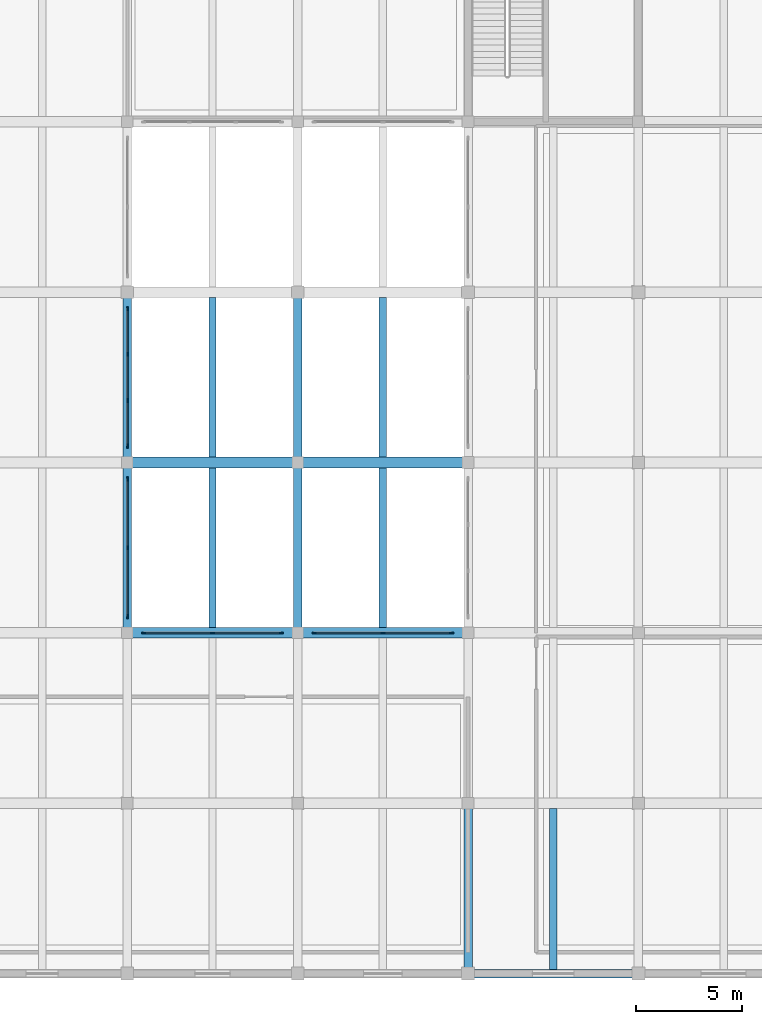
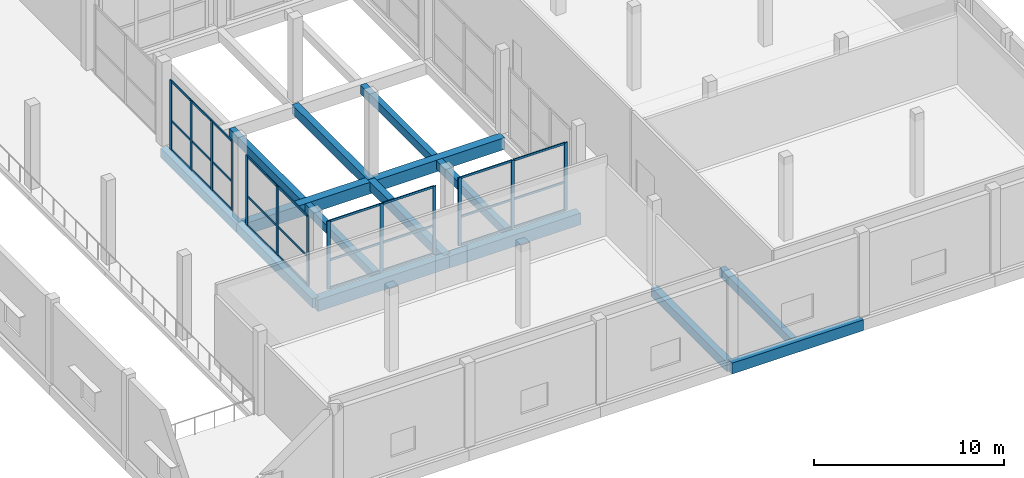
# One storey, part 4 of 41: 40 members, 15 beams, 4 elements without a shape of their own.
"""IFC4 building model written with IfcOpenShell, lengths in metres."""

from ifc_helpers import new_model, si_unit, direction, frame, origin, origin_2d, place, context, subcontext, project, spatial, rectangle, extrude, material, material_profile, profile_set, type_object, element, aggregate, save


model = new_model("IFC4")

# Units and contexts
model_context = context("Model", 3, precision=1e-05, world=origin(), true_north=direction((0.0, 1.0)))
body_context = subcontext(model_context, "Body", "Model", "MODEL_VIEW")
ifc_project = project(units=[si_unit("LENGTHUNIT", "METRE"), si_unit("AREAUNIT", "SQUARE_METRE"), si_unit("VOLUMEUNIT", "CUBIC_METRE"), si_unit("PLANEANGLEUNIT", "RADIAN"), si_unit("MASSUNIT", "GRAM", prefix="KILO")], contexts=[model_context])

# Site, building, storey
site_placement = place(None, origin())
site = spatial("IfcSite", under=ifc_project, at=site_placement, CompositionType="ELEMENT")
building_placement = place(site_placement, origin())
building = spatial("IfcBuilding", under=site, at=building_placement, Name="Vharandega Faculty of Natural Sciences", CompositionType="ELEMENT")
storey_placement = place(building_placement, origin())
storey = spatial("IfcBuildingStorey", under=building, at=storey_placement, Name="L00", CompositionType="ELEMENT", Elevation=0.0)

# Curtain wall, members
ifc_material_1 = material(Name="Aluminium and solar-control glass curtain wall", Category="aluminium")
curtain_wall_type_1 = type_object("IfcCurtainWallType", Name="Unitised Curtain Wall System CW-28", PredefinedType="NOTDEFINED", material=ifc_material_1)
curtain_wall_1_placement = place(storey_placement, origin())
curtain_wall_1 = element("IfcCurtainWall", 1, at=curtain_wall_1_placement, inside=storey, type_object=curtain_wall_type_1, Name="Curtain Wall CW-L00-111", PredefinedType="NOTDEFINED")
ifc_material_2 = material(Name="Thermally broken aluminium 6063-T6", Category="aluminium")
ifc_material_profile_1 = material_profile(ifc_material_2, rectangle(XDim=0.070068359375, YDim=0.199951171875, at=origin_2d()), Name="ALU 70x200")
ifc_profile_set_1 = profile_set([ifc_material_profile_1], Name="Thermally broken aluminium 6063-T6")
member_type_1 = type_object("IfcMemberType", Name="CW Mullion 70x200", PredefinedType="MULLION", material=ifc_profile_set_1)
member_1_placement = place(storey_placement, frame((16.77490234375, 16.0, 0.0), z_axis=(0.0, 0.0, 1.0), x_axis=(0.0, 1.0, 0.0)))
member_1 = element("IfcMember", 2, at=member_1_placement, type_object=member_type_1, Name="CW-28 mullion 1", PredefinedType="MULLION", context=body_context, shape_type="SweptSolid", body=[
    extrude(rectangle(XDim=0.070068359375, YDim=0.199951171875, at=origin_2d()), origin(), (0.0, 0.0, 1.0), 4.3701171875),
])
member_2_placement = place(storey_placement, frame((20.0, 16.0, 0.0), z_axis=(0.0, 0.0, 1.0), x_axis=(0.0, 1.0, 0.0)))
member_2 = element("IfcMember", 3, at=member_2_placement, type_object=member_type_1, Name="CW-28 mullion 2", PredefinedType="MULLION", context=body_context, shape_type="SweptSolid", body=[
    extrude(rectangle(XDim=0.070068359375, YDim=0.199951171875, at=origin_2d()), origin(), (0.0, 0.0, 1.0), 4.3701171875),
])
member_3_placement = place(storey_placement, frame((23.22509765625, 16.0, 0.0), z_axis=(0.0, 0.0, 1.0), x_axis=(0.0, 1.0, 0.0)))
member_3 = element("IfcMember", 4, at=member_3_placement, type_object=member_type_1, Name="CW-28 mullion 3", PredefinedType="MULLION", context=body_context, shape_type="SweptSolid", body=[
    extrude(rectangle(XDim=0.070068359375, YDim=0.199951171875, at=origin_2d()), origin(), (0.0, 0.0, 1.0), 4.3701171875),
])

ifc_material_3 = material(Name="Aluminium and solar-control glass curtain wall", Category="aluminium")
curtain_wall_type_2 = type_object("IfcCurtainWallType", Name="Unitised Curtain Wall System CW-02", PredefinedType="NOTDEFINED", material=ifc_material_3)
curtain_wall_2_placement = place(storey_placement, origin())
curtain_wall_2 = element("IfcCurtainWall", 5, at=curtain_wall_2_placement, inside=storey, type_object=curtain_wall_type_2, Name="Curtain Wall CW-L00-113", PredefinedType="NOTDEFINED")
member_4_placement = place(storey_placement, frame((24.77490234375, 16.0, 0.0), z_axis=(0.0, 0.0, 1.0), x_axis=(0.0, 1.0, 0.0)))
member_4 = element("IfcMember", 6, at=member_4_placement, type_object=member_type_1, Name="CW-02 mullion 1", PredefinedType="MULLION", context=body_context, shape_type="SweptSolid", body=[
    extrude(rectangle(XDim=0.070068359375, YDim=0.199951171875, at=origin_2d()), origin(), (0.0, 0.0, 1.0), 4.3701171875),
])
member_5_placement = place(storey_placement, frame((28.0, 16.0, 0.0), z_axis=(0.0, 0.0, 1.0), x_axis=(0.0, 1.0, 0.0)))
member_5 = element("IfcMember", 7, at=member_5_placement, type_object=member_type_1, Name="CW-02 mullion 2", PredefinedType="MULLION", context=body_context, shape_type="SweptSolid", body=[
    extrude(rectangle(XDim=0.070068359375, YDim=0.199951171875, at=origin_2d()), origin(), (0.0, 0.0, 1.0), 4.3701171875),
])
member_6_placement = place(storey_placement, frame((31.22509765625, 16.0, 0.0), z_axis=(0.0, 0.0, 1.0), x_axis=(0.0, 1.0, 0.0)))
member_6 = element("IfcMember", 8, at=member_6_placement, type_object=member_type_1, Name="CW-02 mullion 3", PredefinedType="MULLION", context=body_context, shape_type="SweptSolid", body=[
    extrude(rectangle(XDim=0.070068359375, YDim=0.199951171875, at=origin_2d()), origin(), (0.0, 0.0, 1.0), 4.3701171875),
])

ifc_material_4 = material(Name="Aluminium and solar-control glass curtain wall", Category="aluminium")
curtain_wall_type_3 = type_object("IfcCurtainWallType", Name="Unitised Curtain Wall System CW-04", PredefinedType="NOTDEFINED", material=ifc_material_4)
curtain_wall_3_placement = place(storey_placement, origin())
curtain_wall_3 = element("IfcCurtainWall", 9, at=curtain_wall_3_placement, inside=storey, type_object=curtain_wall_type_3, Name="Curtain Wall CW-L00-115", PredefinedType="NOTDEFINED")
member_7_placement = place(storey_placement, frame((16.0, 16.77490234375, 0.0), z_axis=(0.0, 0.0, 1.0), x_axis=(-1.0, 0.0, 0.0)))
member_7 = element("IfcMember", 10, at=member_7_placement, type_object=member_type_1, Name="CW-04 mullion 1", PredefinedType="MULLION", context=body_context, shape_type="SweptSolid", body=[
    extrude(rectangle(XDim=0.070068359375, YDim=0.199951171875, at=origin_2d()), origin(), (0.0, 0.0, 1.0), 4.469970703125),
])
member_8_placement = place(storey_placement, frame((16.0, 20.0, 0.0), z_axis=(0.0, 0.0, 1.0), x_axis=(-1.0, 0.0, 0.0)))
member_8 = element("IfcMember", 11, at=member_8_placement, type_object=member_type_1, Name="CW-04 mullion 2", PredefinedType="MULLION", context=body_context, shape_type="SweptSolid", body=[
    extrude(rectangle(XDim=0.070068359375, YDim=0.199951171875, at=origin_2d()), origin(), (0.0, 0.0, 1.0), 4.469970703125),
])
member_9_placement = place(storey_placement, frame((16.0, 23.22509765625, 0.0), z_axis=(0.0, 0.0, 1.0), x_axis=(-1.0, 0.0, 0.0)))
member_9 = element("IfcMember", 12, at=member_9_placement, type_object=member_type_1, Name="CW-04 mullion 3", PredefinedType="MULLION", context=body_context, shape_type="SweptSolid", body=[
    extrude(rectangle(XDim=0.070068359375, YDim=0.199951171875, at=origin_2d()), origin(), (0.0, 0.0, 1.0), 4.469970703125),
])

ifc_material_5 = material(Name="Aluminium and solar-control glass curtain wall", Category="aluminium")
curtain_wall_type_4 = type_object("IfcCurtainWallType", Name="Unitised Curtain Wall System CW-06", PredefinedType="NOTDEFINED", material=ifc_material_5)
curtain_wall_4_placement = place(storey_placement, origin())
curtain_wall_4 = element("IfcCurtainWall", 13, at=curtain_wall_4_placement, inside=storey, type_object=curtain_wall_type_4, Name="Curtain Wall CW-L00-117", PredefinedType="NOTDEFINED")
member_10_placement = place(storey_placement, frame((16.0, 24.77490234375, 0.0), z_axis=(0.0, 0.0, 1.0), x_axis=(-1.0, 0.0, 0.0)))
member_10 = element("IfcMember", 14, at=member_10_placement, type_object=member_type_1, Name="CW-06 mullion 1", PredefinedType="MULLION", context=body_context, shape_type="SweptSolid", body=[
    extrude(rectangle(XDim=0.070068359375, YDim=0.199951171875, at=origin_2d()), origin(), (0.0, 0.0, 1.0), 4.469970703125),
])
member_11_placement = place(storey_placement, frame((16.0, 26.913330078125, 0.0), z_axis=(0.0, 0.0, 1.0), x_axis=(-1.0, 0.0, 0.0)))
member_11 = element("IfcMember", 15, at=member_11_placement, type_object=member_type_1, Name="CW-06 mullion 2", PredefinedType="MULLION", context=body_context, shape_type="SweptSolid", body=[
    extrude(rectangle(XDim=0.070068359375, YDim=0.199951171875, at=origin_2d()), origin(), (0.0, 0.0, 1.0), 4.469970703125),
])
member_12_placement = place(storey_placement, frame((16.0, 29.086669921875, 0.0), z_axis=(0.0, 0.0, 1.0), x_axis=(-1.0, 0.0, 0.0)))
member_12 = element("IfcMember", 16, at=member_12_placement, type_object=member_type_1, Name="CW-06 mullion 3", PredefinedType="MULLION", context=body_context, shape_type="SweptSolid", body=[
    extrude(rectangle(XDim=0.070068359375, YDim=0.199951171875, at=origin_2d()), origin(), (0.0, 0.0, 1.0), 4.469970703125),
])
member_13_placement = place(storey_placement, frame((16.0, 31.22509765625, 0.0), z_axis=(0.0, 0.0, 1.0), x_axis=(-1.0, 0.0, 0.0)))
member_13 = element("IfcMember", 17, at=member_13_placement, type_object=member_type_1, Name="CW-06 mullion 4", PredefinedType="MULLION", context=body_context, shape_type="SweptSolid", body=[
    extrude(rectangle(XDim=0.070068359375, YDim=0.199951171875, at=origin_2d()), origin(), (0.0, 0.0, 1.0), 4.469970703125),
])

# Member
ifc_material_6 = material(Name="Thermally broken aluminium 6063-T6", Category="aluminium")
ifc_material_profile_2 = material_profile(ifc_material_6, rectangle(XDim=0.06494140625, YDim=0.135009765625, at=origin_2d()), Name="ALU 65x135")
ifc_profile_set_2 = profile_set([ifc_material_profile_2], Name="Thermally broken aluminium 6063-T6")
member_type_2 = type_object("IfcMemberType", Name="CW Transom 65x135", PredefinedType="USERDEFINED", material=ifc_profile_set_2)
member_14_placement = place(storey_placement, frame((16.81005859375, 16.0, 0.032470703125), z_axis=(1.0, 0.0, 0.0), x_axis=(0.0, 1.0, 0.0)))
member_14 = element("IfcMember", 18, at=member_14_placement, type_object=member_type_2, Name="CW-28 transom 1.1", ObjectType="TRANSOM", PredefinedType="USERDEFINED", context=body_context, shape_type="SweptSolid", body=[
    extrude(rectangle(XDim=0.06494140625, YDim=0.135009765625, at=origin_2d()), origin(), (0.0, 0.0, 1.0), 3.155029296875),
])

member_15_placement = place(storey_placement, frame((16.81005859375, 16.0, 1.83544921875), z_axis=(1.0, 0.0, 0.0), x_axis=(0.0, 1.0, 0.0)))
member_15 = element("IfcMember", 19, at=member_15_placement, type_object=member_type_2, Name="CW-28 transom 1.2", ObjectType="TRANSOM", PredefinedType="USERDEFINED", context=body_context, shape_type="SweptSolid", body=[
    extrude(rectangle(XDim=0.06494140625, YDim=0.135009765625, at=origin_2d()), origin(), (0.0, 0.0, 1.0), 3.155029296875),
])

member_16_placement = place(storey_placement, frame((16.81005859375, 16.0, 4.33740234375), z_axis=(1.0, 0.0, 0.0), x_axis=(0.0, 1.0, 0.0)))
member_16 = element("IfcMember", 20, at=member_16_placement, type_object=member_type_2, Name="CW-28 transom 1.3", ObjectType="TRANSOM", PredefinedType="USERDEFINED", context=body_context, shape_type="SweptSolid", body=[
    extrude(rectangle(XDim=0.06494140625, YDim=0.135009765625, at=origin_2d()), origin(), (0.0, 0.0, 1.0), 3.155029296875),
])

member_17_placement = place(storey_placement, frame((20.034912109375, 16.0, 0.032470703125), z_axis=(1.0, 0.0, 0.0), x_axis=(0.0, 1.0, 0.0)))
member_17 = element("IfcMember", 21, at=member_17_placement, type_object=member_type_2, Name="CW-28 transom 2.1", ObjectType="TRANSOM", PredefinedType="USERDEFINED", context=body_context, shape_type="SweptSolid", body=[
    extrude(rectangle(XDim=0.06494140625, YDim=0.135009765625, at=origin_2d()), origin(), (0.0, 0.0, 1.0), 3.155029296875),
])

member_18_placement = place(storey_placement, frame((20.034912109375, 16.0, 1.83544921875), z_axis=(1.0, 0.0, 0.0), x_axis=(0.0, 1.0, 0.0)))
member_18 = element("IfcMember", 22, at=member_18_placement, type_object=member_type_2, Name="CW-28 transom 2.2", ObjectType="TRANSOM", PredefinedType="USERDEFINED", context=body_context, shape_type="SweptSolid", body=[
    extrude(rectangle(XDim=0.06494140625, YDim=0.135009765625, at=origin_2d()), origin(), (0.0, 0.0, 1.0), 3.155029296875),
])

member_19_placement = place(storey_placement, frame((20.034912109375, 16.0, 4.33740234375), z_axis=(1.0, 0.0, 0.0), x_axis=(0.0, 1.0, 0.0)))
member_19 = element("IfcMember", 23, at=member_19_placement, type_object=member_type_2, Name="CW-28 transom 2.3", ObjectType="TRANSOM", PredefinedType="USERDEFINED", context=body_context, shape_type="SweptSolid", body=[
    extrude(rectangle(XDim=0.06494140625, YDim=0.135009765625, at=origin_2d()), origin(), (0.0, 0.0, 1.0), 3.155029296875),
])

aggregate(curtain_wall_1, [member_1, member_2, member_3, member_14, member_15, member_16, member_17, member_18, member_19])

member_20_placement = place(storey_placement, frame((24.81005859375, 16.0, 0.032470703125), z_axis=(1.0, 0.0, 0.0), x_axis=(0.0, 1.0, 0.0)))
member_20 = element("IfcMember", 24, at=member_20_placement, type_object=member_type_2, Name="CW-02 transom 1.1", ObjectType="TRANSOM", PredefinedType="USERDEFINED", context=body_context, shape_type="SweptSolid", body=[
    extrude(rectangle(XDim=0.06494140625, YDim=0.135009765625, at=origin_2d()), origin(), (0.0, 0.0, 1.0), 3.155029296875),
])

member_21_placement = place(storey_placement, frame((24.81005859375, 16.0, 1.83544921875), z_axis=(1.0, 0.0, 0.0), x_axis=(0.0, 1.0, 0.0)))
member_21 = element("IfcMember", 25, at=member_21_placement, type_object=member_type_2, Name="CW-02 transom 1.2", ObjectType="TRANSOM", PredefinedType="USERDEFINED", context=body_context, shape_type="SweptSolid", body=[
    extrude(rectangle(XDim=0.06494140625, YDim=0.135009765625, at=origin_2d()), origin(), (0.0, 0.0, 1.0), 3.155029296875),
])

member_22_placement = place(storey_placement, frame((24.81005859375, 16.0, 4.33740234375), z_axis=(1.0, 0.0, 0.0), x_axis=(0.0, 1.0, 0.0)))
member_22 = element("IfcMember", 26, at=member_22_placement, type_object=member_type_2, Name="CW-02 transom 1.3", ObjectType="TRANSOM", PredefinedType="USERDEFINED", context=body_context, shape_type="SweptSolid", body=[
    extrude(rectangle(XDim=0.06494140625, YDim=0.135009765625, at=origin_2d()), origin(), (0.0, 0.0, 1.0), 3.155029296875),
])

member_23_placement = place(storey_placement, frame((28.034912109375, 16.0, 0.032470703125), z_axis=(1.0, 0.0, 0.0), x_axis=(0.0, 1.0, 0.0)))
member_23 = element("IfcMember", 27, at=member_23_placement, type_object=member_type_2, Name="CW-02 transom 2.1", ObjectType="TRANSOM", PredefinedType="USERDEFINED", context=body_context, shape_type="SweptSolid", body=[
    extrude(rectangle(XDim=0.06494140625, YDim=0.135009765625, at=origin_2d()), origin(), (0.0, 0.0, 1.0), 3.155029296875),
])

member_24_placement = place(storey_placement, frame((28.034912109375, 16.0, 1.83544921875), z_axis=(1.0, 0.0, 0.0), x_axis=(0.0, 1.0, 0.0)))
member_24 = element("IfcMember", 28, at=member_24_placement, type_object=member_type_2, Name="CW-02 transom 2.2", ObjectType="TRANSOM", PredefinedType="USERDEFINED", context=body_context, shape_type="SweptSolid", body=[
    extrude(rectangle(XDim=0.06494140625, YDim=0.135009765625, at=origin_2d()), origin(), (0.0, 0.0, 1.0), 3.155029296875),
])

member_25_placement = place(storey_placement, frame((28.034912109375, 16.0, 4.33740234375), z_axis=(1.0, 0.0, 0.0), x_axis=(0.0, 1.0, 0.0)))
member_25 = element("IfcMember", 29, at=member_25_placement, type_object=member_type_2, Name="CW-02 transom 2.3", ObjectType="TRANSOM", PredefinedType="USERDEFINED", context=body_context, shape_type="SweptSolid", body=[
    extrude(rectangle(XDim=0.06494140625, YDim=0.135009765625, at=origin_2d()), origin(), (0.0, 0.0, 1.0), 3.155029296875),
])

aggregate(curtain_wall_2, [member_4, member_5, member_6, member_20, member_21, member_22, member_23, member_24, member_25])

member_26_placement = place(storey_placement, frame((16.0, 16.81005859375, 0.032470703125), z_axis=(0.0, 1.0, 0.0), x_axis=(-1.0, 0.0, 0.0)))
member_26 = element("IfcMember", 30, at=member_26_placement, type_object=member_type_2, Name="CW-04 transom 1.1", ObjectType="TRANSOM", PredefinedType="USERDEFINED", context=body_context, shape_type="SweptSolid", body=[
    extrude(rectangle(XDim=0.06494140625, YDim=0.135009765625, at=origin_2d()), origin(), (0.0, 0.0, 1.0), 3.155029296875),
])

member_27_placement = place(storey_placement, frame((16.0, 16.81005859375, 1.87744140625), z_axis=(0.0, 1.0, 0.0), x_axis=(-1.0, 0.0, 0.0)))
member_27 = element("IfcMember", 31, at=member_27_placement, type_object=member_type_2, Name="CW-04 transom 1.2", ObjectType="TRANSOM", PredefinedType="USERDEFINED", context=body_context, shape_type="SweptSolid", body=[
    extrude(rectangle(XDim=0.06494140625, YDim=0.135009765625, at=origin_2d()), origin(), (0.0, 0.0, 1.0), 3.155029296875),
])

member_28_placement = place(storey_placement, frame((16.0, 16.81005859375, 4.4375), z_axis=(0.0, 1.0, 0.0), x_axis=(-1.0, 0.0, 0.0)))
member_28 = element("IfcMember", 32, at=member_28_placement, type_object=member_type_2, Name="CW-04 transom 1.3", ObjectType="TRANSOM", PredefinedType="USERDEFINED", context=body_context, shape_type="SweptSolid", body=[
    extrude(rectangle(XDim=0.06494140625, YDim=0.135009765625, at=origin_2d()), origin(), (0.0, 0.0, 1.0), 3.155029296875),
])

member_29_placement = place(storey_placement, frame((16.0, 20.034912109375, 0.032470703125), z_axis=(0.0, 1.0, 0.0), x_axis=(-1.0, 0.0, 0.0)))
member_29 = element("IfcMember", 33, at=member_29_placement, type_object=member_type_2, Name="CW-04 transom 2.1", ObjectType="TRANSOM", PredefinedType="USERDEFINED", context=body_context, shape_type="SweptSolid", body=[
    extrude(rectangle(XDim=0.06494140625, YDim=0.135009765625, at=origin_2d()), origin(), (0.0, 0.0, 1.0), 3.155029296875),
])

member_30_placement = place(storey_placement, frame((16.0, 20.034912109375, 1.87744140625), z_axis=(0.0, 1.0, 0.0), x_axis=(-1.0, 0.0, 0.0)))
member_30 = element("IfcMember", 34, at=member_30_placement, type_object=member_type_2, Name="CW-04 transom 2.2", ObjectType="TRANSOM", PredefinedType="USERDEFINED", context=body_context, shape_type="SweptSolid", body=[
    extrude(rectangle(XDim=0.06494140625, YDim=0.135009765625, at=origin_2d()), origin(), (0.0, 0.0, 1.0), 3.155029296875),
])

member_31_placement = place(storey_placement, frame((16.0, 20.034912109375, 4.4375), z_axis=(0.0, 1.0, 0.0), x_axis=(-1.0, 0.0, 0.0)))
member_31 = element("IfcMember", 35, at=member_31_placement, type_object=member_type_2, Name="CW-04 transom 2.3", ObjectType="TRANSOM", PredefinedType="USERDEFINED", context=body_context, shape_type="SweptSolid", body=[
    extrude(rectangle(XDim=0.06494140625, YDim=0.135009765625, at=origin_2d()), origin(), (0.0, 0.0, 1.0), 3.155029296875),
])

aggregate(curtain_wall_3, [member_7, member_8, member_9, member_26, member_27, member_28, member_29, member_30, member_31])

member_32_placement = place(storey_placement, frame((16.0, 24.81005859375, 0.032470703125), z_axis=(0.0, 1.0, 0.0), x_axis=(-1.0, 0.0, 0.0)))
member_32 = element("IfcMember", 36, at=member_32_placement, type_object=member_type_2, Name="CW-06 transom 1.1", ObjectType="TRANSOM", PredefinedType="USERDEFINED", context=body_context, shape_type="SweptSolid", body=[
    extrude(rectangle(XDim=0.06494140625, YDim=0.135009765625, at=origin_2d()), origin(), (0.0, 0.0, 1.0), 2.068359375),
])

member_33_placement = place(storey_placement, frame((16.0, 24.81005859375, 1.87744140625), z_axis=(0.0, 1.0, 0.0), x_axis=(-1.0, 0.0, 0.0)))
member_33 = element("IfcMember", 37, at=member_33_placement, type_object=member_type_2, Name="CW-06 transom 1.2", ObjectType="TRANSOM", PredefinedType="USERDEFINED", context=body_context, shape_type="SweptSolid", body=[
    extrude(rectangle(XDim=0.06494140625, YDim=0.135009765625, at=origin_2d()), origin(), (0.0, 0.0, 1.0), 2.068359375),
])

member_34_placement = place(storey_placement, frame((16.0, 24.81005859375, 4.4375), z_axis=(0.0, 1.0, 0.0), x_axis=(-1.0, 0.0, 0.0)))
member_34 = element("IfcMember", 38, at=member_34_placement, type_object=member_type_2, Name="CW-06 transom 1.3", ObjectType="TRANSOM", PredefinedType="USERDEFINED", context=body_context, shape_type="SweptSolid", body=[
    extrude(rectangle(XDim=0.06494140625, YDim=0.135009765625, at=origin_2d()), origin(), (0.0, 0.0, 1.0), 2.068359375),
])

member_35_placement = place(storey_placement, frame((16.0, 26.9482421875, 0.032470703125), z_axis=(0.0, 1.0, 0.0), x_axis=(-1.0, 0.0, 0.0)))
member_35 = element("IfcMember", 39, at=member_35_placement, type_object=member_type_2, Name="CW-06 transom 2.1", ObjectType="TRANSOM", PredefinedType="USERDEFINED", context=body_context, shape_type="SweptSolid", body=[
    extrude(rectangle(XDim=0.06494140625, YDim=0.135009765625, at=origin_2d()), origin(), (0.0, 0.0, 1.0), 2.103515625),
])

member_36_placement = place(storey_placement, frame((16.0, 26.9482421875, 1.87744140625), z_axis=(0.0, 1.0, 0.0), x_axis=(-1.0, 0.0, 0.0)))
member_36 = element("IfcMember", 40, at=member_36_placement, type_object=member_type_2, Name="CW-06 transom 2.2", ObjectType="TRANSOM", PredefinedType="USERDEFINED", context=body_context, shape_type="SweptSolid", body=[
    extrude(rectangle(XDim=0.06494140625, YDim=0.135009765625, at=origin_2d()), origin(), (0.0, 0.0, 1.0), 2.103515625),
])

member_37_placement = place(storey_placement, frame((16.0, 26.9482421875, 4.4375), z_axis=(0.0, 1.0, 0.0), x_axis=(-1.0, 0.0, 0.0)))
member_37 = element("IfcMember", 41, at=member_37_placement, type_object=member_type_2, Name="CW-06 transom 2.3", ObjectType="TRANSOM", PredefinedType="USERDEFINED", context=body_context, shape_type="SweptSolid", body=[
    extrude(rectangle(XDim=0.06494140625, YDim=0.135009765625, at=origin_2d()), origin(), (0.0, 0.0, 1.0), 2.103515625),
])

member_38_placement = place(storey_placement, frame((16.0, 29.12158203125, 0.032470703125), z_axis=(0.0, 1.0, 0.0), x_axis=(-1.0, 0.0, 0.0)))
member_38 = element("IfcMember", 42, at=member_38_placement, type_object=member_type_2, Name="CW-06 transom 3.1", ObjectType="TRANSOM", PredefinedType="USERDEFINED", context=body_context, shape_type="SweptSolid", body=[
    extrude(rectangle(XDim=0.06494140625, YDim=0.135009765625, at=origin_2d()), origin(), (0.0, 0.0, 1.0), 2.068359375),
])

member_39_placement = place(storey_placement, frame((16.0, 29.12158203125, 1.87744140625), z_axis=(0.0, 1.0, 0.0), x_axis=(-1.0, 0.0, 0.0)))
member_39 = element("IfcMember", 43, at=member_39_placement, type_object=member_type_2, Name="CW-06 transom 3.2", ObjectType="TRANSOM", PredefinedType="USERDEFINED", context=body_context, shape_type="SweptSolid", body=[
    extrude(rectangle(XDim=0.06494140625, YDim=0.135009765625, at=origin_2d()), origin(), (0.0, 0.0, 1.0), 2.068359375),
])

member_40_placement = place(storey_placement, frame((16.0, 29.12158203125, 4.4375), z_axis=(0.0, 1.0, 0.0), x_axis=(-1.0, 0.0, 0.0)))
member_40 = element("IfcMember", 44, at=member_40_placement, type_object=member_type_2, Name="CW-06 transom 3.3", ObjectType="TRANSOM", PredefinedType="USERDEFINED", context=body_context, shape_type="SweptSolid", body=[
    extrude(rectangle(XDim=0.06494140625, YDim=0.135009765625, at=origin_2d()), origin(), (0.0, 0.0, 1.0), 2.068359375),
])

aggregate(curtain_wall_4, [member_10, member_11, member_12, member_13, member_32, member_33, member_34, member_35, member_36, member_37, member_38, member_39, member_40])

# Beams
ifc_material_7 = material(Name="Concrete C40/50", Category="concrete")
ifc_material_profile_3 = material_profile(ifc_material_7, rectangle(XDim=0.5, YDim=0.75, at=origin_2d()), Name="RC 500x750")
ifc_profile_set_3 = profile_set([ifc_material_profile_3], Name="Concrete C40/50")
beam_type_1 = type_object("IfcBeamType", Name="Podium Primary Beam 500x750", PredefinedType="BEAM", material=ifc_profile_set_3)
for number, where, z_axis, x_axis, name in (
    (45, (16.0, 16.0, -0.675048828125), (1.0, 0.0, 0.0), (0.0, 1.0, 0.0), "Beam L00 C/3-4"),
    (46, (24.0, 16.0, -0.675048828125), (1.0, 0.0, 0.0), (0.0, 1.0, 0.0), "Beam L00 C/4-5"),
    (47, (16.0, 24.0, -0.675048828125), (1.0, 0.0, 0.0), (0.0, 1.0, 0.0), "Beam L00 D/3-4"),
    (48, (24.0, 24.0, -0.675048828125), (1.0, 0.0, 0.0), (0.0, 1.0, 0.0), "Beam L00 D/4-5"),
):
    element("IfcBeam", number, at=place(storey_placement, frame(where, z_axis=z_axis, x_axis=x_axis)), inside=storey, type_object=beam_type_1, Name=name, PredefinedType="BEAM", context=body_context, shape_type="SweptSolid", body=[
        extrude(rectangle(XDim=0.5, YDim=0.75, at=origin_2d()), origin(), (0.0, 0.0, 1.0), 8.0),
    ])
ifc_material_8 = material(Name="Concrete C40/50", Category="concrete")
ifc_material_profile_4 = material_profile(ifc_material_8, rectangle(XDim=0.39990234375, YDim=0.60009765625, at=origin_2d()), Name="RC 400x600")
ifc_profile_set_4 = profile_set([ifc_material_profile_4], Name="Concrete C40/50")
beam_type_2 = type_object("IfcBeamType", Name="Podium Rib Beam 400x600", PredefinedType="BEAM", material=ifc_profile_set_4)
for number, where, z_axis, x_axis, name in (
    (49, (16.0, 16.0, -0.60009765625), (0.0, 1.0, 0.0), (-1.0, 0.0, 0.0), "Beam L00 3/C-D"),
    (50, (16.0, 24.0, -0.60009765625), (0.0, 1.0, 0.0), (-1.0, 0.0, 0.0), "Beam L00 3/D-E"),
    (51, (24.0, 16.0, -0.60009765625), (0.0, 1.0, 0.0), (-1.0, 0.0, 0.0), "Beam L00 4/C-D"),
    (52, (24.0, 24.0, -0.60009765625), (0.0, 1.0, 0.0), (-1.0, 0.0, 0.0), "Beam L00 4/D-E"),
    (53, (32.0, 0.0, -0.60009765625), (0.0, 1.0, 0.0), (-1.0, 0.0, 0.0), "Beam L00 5/A-B"),
):
    element("IfcBeam", number, at=place(storey_placement, frame(where, z_axis=z_axis, x_axis=x_axis)), inside=storey, type_object=beam_type_2, Name=name, PredefinedType="BEAM", context=body_context, shape_type="SweptSolid", body=[
        extrude(rectangle(XDim=0.39990234375, YDim=0.60009765625, at=origin_2d()), origin(), (0.0, 0.0, 1.0), 8.0),
    ])
ifc_material_9 = material(Name="Concrete C40/50", Category="concrete")
ifc_material_profile_5 = material_profile(ifc_material_9, rectangle(XDim=0.35009765625, YDim=0.550048828125, at=origin_2d()), Name="RC 350x550")
ifc_profile_set_5 = profile_set([ifc_material_profile_5], Name="Concrete C40/50")
beam_type_3 = type_object("IfcBeamType", Name="Podium Secondary Beam 350x550", PredefinedType="JOIST", material=ifc_profile_set_5)
for number, where, z_axis, x_axis, name in (
    (54, (20.0, 16.25, -0.574951171875), (0.0, 1.0, 0.0), (-1.0, 0.0, 0.0), "Secondary Joist L00 3-4/C-D"),
    (55, (20.0, 24.25, -0.574951171875), (0.0, 1.0, 0.0), (-1.0, 0.0, 0.0), "Secondary Joist L00 3-4/D-E"),
    (56, (28.0, 16.25, -0.574951171875), (0.0, 1.0, 0.0), (-1.0, 0.0, 0.0), "Secondary Joist L00 4-5/C-D"),
    (57, (28.0, 24.25, -0.574951171875), (0.0, 1.0, 0.0), (-1.0, 0.0, 0.0), "Secondary Joist L00 4-5/D-E"),
):
    element("IfcBeam", number, at=place(storey_placement, frame(where, z_axis=z_axis, x_axis=x_axis)), inside=storey, type_object=beam_type_3, Name=name, PredefinedType="JOIST", context=body_context, shape_type="SweptSolid", body=[
        extrude(rectangle(XDim=0.35009765625, YDim=0.550048828125, at=origin_2d()), origin(), (0.0, 0.0, 1.0), 7.5),
    ])
beam_1_placement = place(storey_placement, frame((36.0, 0.199951171875, -0.574951171875), z_axis=(0.0, 1.0, 0.0), x_axis=(-1.0, 0.0, 0.0)))
element("IfcBeam", 58, at=beam_1_placement, inside=storey, type_object=beam_type_3, Name="Secondary Joist L00 5-6/A-B", PredefinedType="JOIST", context=body_context, shape_type="SweptSolid", body=[
    extrude(rectangle(XDim=0.35009765625, YDim=0.550048828125, at=origin_2d()), origin(), (0.0, 0.0, 1.0), 7.550048828125),
])
ifc_material_10 = material(Name="Concrete C40/50", Category="concrete")
ifc_material_profile_6 = material_profile(ifc_material_10, rectangle(XDim=0.39990234375, YDim=0.699951171875, at=origin_2d()), Name="RC 400x700")
ifc_profile_set_6 = profile_set([ifc_material_profile_6], Name="Concrete C40/50")
beam_type_4 = type_object("IfcBeamType", Name="Podium Spandrel Beam 400x700", PredefinedType="SPANDREL", material=ifc_profile_set_6)
beam_2_placement = place(storey_placement, frame((32.0, 0.0, -0.64990234375), z_axis=(1.0, 0.0, 0.0), x_axis=(0.0, 1.0, 0.0)))
element("IfcBeam", 59, at=beam_2_placement, inside=storey, type_object=beam_type_4, Name="Beam L00 A/5-6", PredefinedType="SPANDREL", context=body_context, shape_type="SweptSolid", body=[
    extrude(rectangle(XDim=0.39990234375, YDim=0.699951171875, at=origin_2d()), origin(), (0.0, 0.0, 1.0), 8.0),
])

save(model, "model.ifc")
